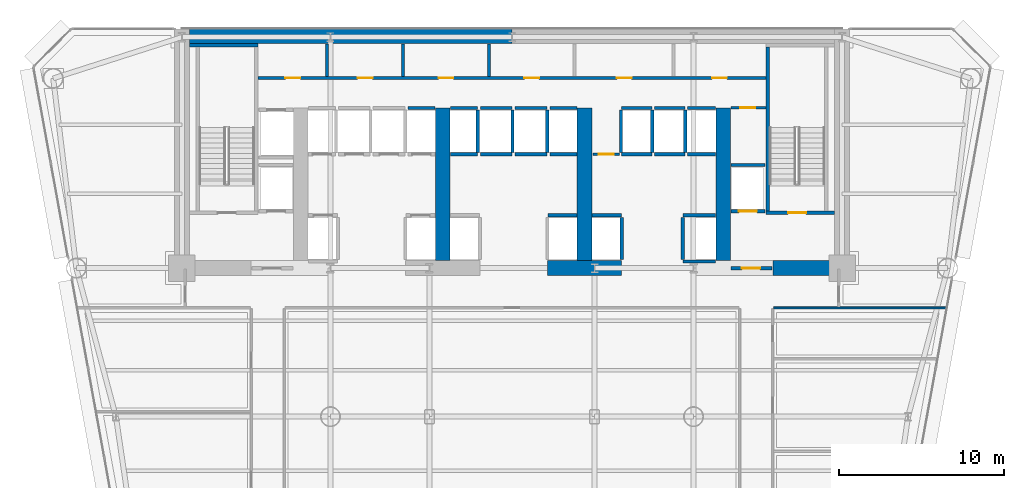
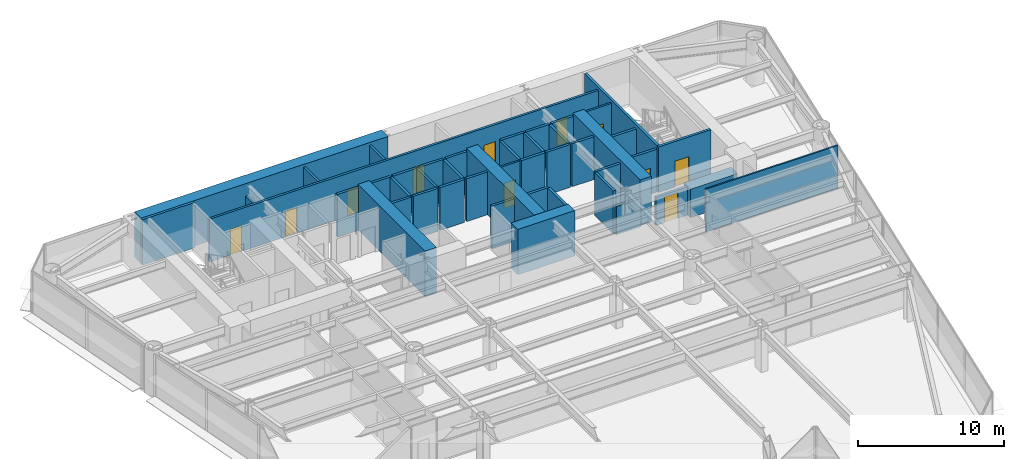
# One storey, part 9 of 14: 46 walls, 11 doors, 11 openings.
"""IFC4 building model written with IfcOpenShell, lengths in metres."""

from ifc_helpers import new_model, si_unit, direction, frame, frame_2d, origin, place, context, subcontext, project, spatial, rectangle, extrude, source, transform, mapped, material, layer, layer_set, type_object, element, fill, save


model = new_model("IFC4")

# Units and contexts
model_context = context("Model", 3, precision=1e-05, world=origin(), true_north=direction((0.0, 1.0)))
body_context = subcontext(model_context, "Body", "Model", "MODEL_VIEW")
ifc_project = project(units=[si_unit("LENGTHUNIT", "METRE"), si_unit("AREAUNIT", "SQUARE_METRE"), si_unit("VOLUMEUNIT", "CUBIC_METRE"), si_unit("PLANEANGLEUNIT", "RADIAN"), si_unit("MASSUNIT", "GRAM", prefix="KILO")], contexts=[model_context])

# Site, building, storey
site_placement = place(None, origin())
site = spatial("IfcSite", under=ifc_project, at=site_placement, CompositionType="ELEMENT")
building_placement = place(site_placement, origin())
building = spatial("IfcBuilding", under=site, at=building_placement, Name="Vaeldorn Concourse Tower", CompositionType="ELEMENT")
storey_placement = place(building_placement, frame((0.0, 0.0, 34.0)))
storey = spatial("IfcBuildingStorey", under=building, at=storey_placement, Name="L08", CompositionType="ELEMENT", Elevation=34.0)

# Walls
ifc_material_1 = material(Name="Concrete C60/75", Category="concrete")
ifc_layer_1 = layer(ifc_material_1, 0.89990234375)
ifc_layer_set_1 = layer_set([ifc_layer_1], Name="Concrete C60/75")
wall_type_1 = type_object("IfcWallType", Name="WL-CORE-900", PredefinedType="SHEAR", material=ifc_layer_set_1)
wall_1_placement = place(storey_placement, frame((14.4541015625, 50.550048828125, 0.0), z_axis=(0.0, 0.0, 1.0), x_axis=(1.0, 0.0, 0.0)))
element("IfcWall", 1, at=wall_1_placement, inside=storey, type_object=wall_type_1, Name="Rear Core Shear Wall L08 N1", PredefinedType="SHEAR", context=body_context, shape_type="SweptSolid", body=[
    extrude(rectangle(XDim=19.5439453125, YDim=0.89990234375, at=frame_2d((9.77197265625, 0.0))), origin(), (0.0, 0.0, 1.0), 3.800048828125),
])
wall_2_placement = place(storey_placement, frame((36.14990234375, 36.5, 0.0), z_axis=(0.0, 0.0, 1.0), x_axis=(1.0, 0.0, 0.0)))
element("IfcWall", 2, at=wall_2_placement, inside=storey, type_object=wall_type_1, Name="Rear Core Shear Wall L08 S3", PredefinedType="SHEAR", context=body_context, shape_type="SweptSolid", body=[
    extrude(rectangle(XDim=4.5, YDim=0.89990234375, at=frame_2d((2.25, 0.0))), origin(), (0.0, 0.0, 1.0), 3.800048828125),
])
wall_3_placement = place(storey_placement, frame((49.800048828125, 36.5, 0.0), z_axis=(0.0, 0.0, 1.0), x_axis=(1.0, 0.0, 0.0)))
element("IfcWall", 3, at=wall_3_placement, inside=storey, type_object=wall_type_1, Name="Rear Core Shear Wall L08 S4", PredefinedType="SHEAR", context=body_context, shape_type="SweptSolid", body=[
    extrude(rectangle(XDim=3.72998046875, YDim=0.89990234375, at=frame_2d((1.864990234375, 0.0))), origin(), (0.0, 0.0, 1.0), 2.3798828125),
])
for number, where, z_axis, x_axis, name in (
    (4, (29.800048828125, 36.969970703125, 0.0), (0.0, 0.0, 1.0), (0.0, 1.0, 0.0), "Rear Core Shear Wall L08 M2"),
    (5, (38.39990234375, 36.969970703125, 0.0), (0.0, 0.0, 1.0), (0.0, 1.0, 0.0), "Rear Core Shear Wall L08 M3"),
    (6, (46.800048828125, 36.969970703125, 0.0), (0.0, 0.0, 1.0), (0.0, 1.0, 0.0), "Rear Core Shear Wall L08 M4"),
):
    element("IfcWall", number, at=place(storey_placement, frame(where, z_axis=z_axis, x_axis=x_axis)), inside=storey, type_object=wall_type_1, Name=name, PredefinedType="SHEAR", context=body_context, shape_type="SweptSolid", body=[
        extrude(rectangle(XDim=9.22998046875, YDim=0.89990234375, at=frame_2d((4.614990234375, 0.0))), origin(), (0.0, 0.0, 1.0), 3.800048828125),
    ])
ifc_material_2 = material(Name="Gypsum Board Partition", Category="gypsum")
ifc_layer_2 = layer(ifc_material_2, 0.1201171875)
ifc_layer_set_2 = layer_set([ifc_layer_2], Name="Gypsum Board Partition")
wall_type_2 = type_object("IfcWallType", Name="WL-PART-120", PredefinedType="PARTITIONING", material=ifc_layer_set_2)
wall_4_placement = place(storey_placement, frame((49.860107421875, 34.10009765625, 0.0), z_axis=(0.0, 0.0, 1.0), x_axis=(1.0, 0.0, 0.0)))
element("IfcWall", 7, at=wall_4_placement, inside=storey, type_object=wall_type_2, Name="Interior Wall PW-L08-CEWE", PredefinedType="PARTITIONING", context=body_context, shape_type="SweptSolid", body=[
    extrude(rectangle(XDim=10.447021484375, YDim=0.1201171875, at=frame_2d((5.2236328125, 0.0))), origin(), (0.0, 0.0, 1.0), 3.580078125),
])

# Wall, opening, door
ifc_layer_3 = layer(ifc_material_2, 0.14990234375)
ifc_layer_set_3 = layer_set([ifc_layer_3], Name="Gypsum Board Partition")
wall_type_3 = type_object("IfcWallType", Name="WL-PART-150", PredefinedType="PARTITIONING", material=ifc_layer_set_3)
wall_5_placement = place(storey_placement, frame((47.280029296875, 46.219970703125, 0.0), z_axis=(0.0, 0.0, 1.0), x_axis=(1.0, 0.0, 0.0)))
wall_5 = element("IfcWall", 8, at=wall_5_placement, inside=storey, type_object=wall_type_3, Name="Interior Wall CW-L08-CRSE-N", PredefinedType="PARTITIONING", context=body_context, shape_type="SweptSolid", body=[
    extrude(rectangle(XDim=2.099853515625, YDim=0.14990234375, at=frame_2d((1.0498046875, 0.0))), origin(), (0.0, 0.0, 1.0), 3.580078125),
])
opening_1_placement = place(wall_5_placement, frame((0.550048828125, 0.0, 0.0)))
opening_1 = element("IfcOpeningElement", 9, at=opening_1_placement, cuts=wall_5, Name="Opening D-02", PredefinedType="OPENING", context=body_context, shape_type="SweptSolid", body=[
    extrude(rectangle(XDim=0.89990234375, YDim=2.10009765625, at=frame_2d((0.449951171875, 1.050048828125))), frame((0.0, 0.0849609375, 0.0), z_axis=(0.0, -1.0, 0.0), x_axis=(1.0, 0.0, 0.0)), (0.0, 0.0, 1.0), 0.169921875),
])
ifc_material_3 = material(Name="Fire-Rated Timber Leaf", Category="wood")
door_type_1 = type_object("IfcDoorType", Name="DR-FD30-900", OperationType="NOTDEFINED", PredefinedType="DOOR", material=ifc_material_3)
shared_shape_1 = source(origin(), body_context, "Body", "SweptSolid", [
    extrude(rectangle(XDim=0.89990234375, YDim=2.10009765625, at=frame_2d((0.449951171875, 1.050048828125))), frame((0.0, 0.02490234375, 0.0), z_axis=(0.0, -1.0, 0.0), x_axis=(1.0, 0.0, 0.0)), (0.0, 0.0, 1.0), 0.050048828125),
])
door_1_placement = place(opening_1_placement, origin())
door_1 = element("IfcDoor", 10, at=door_1_placement, inside=storey, type_object=door_type_1, Name="Interior Door DR-L08-CRSE", OperationType="SINGLE_SWING_RIGHT", OverallHeight=2.10009765625, OverallWidth=0.89990234375, PredefinedType="DOOR", context=body_context, shape_type="MappedRepresentation", body=[
    mapped(shared_shape_1, transform((0.0, 0.0, 0.0), scale=1.0)),
])
fill(opening_1, door_1)

wall_6_placement = place(storey_placement, frame((38.919921875, 43.39990234375, 0.0), z_axis=(0.0, 0.0, 1.0), x_axis=(1.0, 0.0, 0.0)))
wall_6 = element("IfcWall", 11, at=wall_6_placement, inside=storey, type_object=wall_type_3, Name="Interior Wall CW-L08-CCLINK", PredefinedType="PARTITIONING", context=body_context, shape_type="SweptSolid", body=[
    extrude(rectangle(XDim=1.60009765625, YDim=0.14990234375, at=frame_2d((0.800048828125, 0.0))), origin(), (0.0, 0.0, 1.0), 3.580078125),
])
opening_2_placement = place(wall_6_placement, frame((0.35009765625, 0.0, 0.0)))
opening_2 = element("IfcOpeningElement", 12, at=opening_2_placement, cuts=wall_6, Name="Opening D-02", PredefinedType="OPENING", context=body_context, shape_type="SweptSolid", body=[
    extrude(rectangle(XDim=0.89990234375, YDim=2.10009765625, at=frame_2d((0.449951171875, 1.050048828125))), frame((0.0, 0.0849609375, 0.0), z_axis=(0.0, -1.0, 0.0), x_axis=(1.0, 0.0, 0.0)), (0.0, 0.0, 1.0), 0.169921875),
])
door_2_placement = place(opening_2_placement, origin())
door_2 = element("IfcDoor", 13, at=door_2_placement, inside=storey, type_object=door_type_1, Name="Interior Door DR-L08-CCLINK", OperationType="SINGLE_SWING_LEFT", OverallHeight=2.10009765625, OverallWidth=0.89990234375, PredefinedType="DOOR", context=body_context, shape_type="MappedRepresentation", body=[
    mapped(shared_shape_1, transform((0.0, 0.0, 0.0), scale=1.0)),
])
fill(opening_2, door_2)

# Wall, openings, doors
ifc_layer_4 = layer(ifc_material_2, 0.179931640625)
ifc_layer_set_4 = layer_set([ifc_layer_4], Name="Gypsum Board Partition")
wall_type_4 = type_object("IfcWallType", Name="WL-PLUMB-180", PredefinedType="PLUMBINGWALL", material=ifc_layer_set_4)
wall_7_placement = place(storey_placement, frame((18.6201171875, 48.02001953125, 0.0), z_axis=(0.0, 0.0, 1.0), x_axis=(1.0, 0.0, 0.0)))
wall_7 = element("IfcWall", 14, at=wall_7_placement, inside=storey, type_object=wall_type_4, Name="Interior Wall CW-L08-NS3", PredefinedType="PLUMBINGWALL", context=body_context, shape_type="SweptSolid", body=[
    extrude(rectangle(XDim=30.759765625, YDim=0.179931640625, at=frame_2d((15.3798828125, 0.0))), origin(), (0.0, 0.0, 1.0), 3.580078125),
])
opening_3_placement = place(wall_7_placement, frame((1.655029296875, 0.0, 0.0)))
opening_3 = element("IfcOpeningElement", 15, at=opening_3_placement, cuts=wall_7, Name="Opening D-03", PredefinedType="OPENING", context=body_context, shape_type="SweptSolid", body=[
    extrude(rectangle(XDim=0.89990234375, YDim=2.14990234375, at=frame_2d((0.449951171875, 1.074951171875))), frame((0.0, 0.10009765625, 0.0), z_axis=(0.0, -1.0, 0.0), x_axis=(1.0, 0.0, 0.0)), (0.0, 0.0, 1.0), 0.199951171875),
])
opening_4_placement = place(wall_7_placement, frame((6.030029296875, 0.0, 0.0)))
opening_4 = element("IfcOpeningElement", 16, at=opening_4_placement, cuts=wall_7, Name="Opening D-03", PredefinedType="OPENING", context=body_context, shape_type="SweptSolid", body=[
    extrude(rectangle(XDim=0.89990234375, YDim=2.14990234375, at=frame_2d((0.449951171875, 1.074951171875))), frame((0.0, 0.10009765625, 0.0), z_axis=(0.0, -1.0, 0.0), x_axis=(1.0, 0.0, 0.0)), (0.0, 0.0, 1.0), 0.199951171875),
])
opening_5_placement = place(wall_7_placement, frame((10.929931640625, 0.0, 0.0)))
opening_5 = element("IfcOpeningElement", 17, at=opening_5_placement, cuts=wall_7, Name="Opening D-03", PredefinedType="OPENING", context=body_context, shape_type="SweptSolid", body=[
    extrude(rectangle(XDim=0.89990234375, YDim=2.14990234375, at=frame_2d((0.449951171875, 1.074951171875))), frame((0.0, 0.10009765625, 0.0), z_axis=(0.0, -1.0, 0.0), x_axis=(1.0, 0.0, 0.0)), (0.0, 0.0, 1.0), 0.199951171875),
])
opening_6_placement = place(wall_7_placement, frame((16.1298828125, 0.0, 0.0)))
opening_6 = element("IfcOpeningElement", 18, at=opening_6_placement, cuts=wall_7, Name="Opening D-03", PredefinedType="OPENING", context=body_context, shape_type="SweptSolid", body=[
    extrude(rectangle(XDim=0.89990234375, YDim=2.14990234375, at=frame_2d((0.449951171875, 1.074951171875))), frame((0.0, 0.10009765625, 0.0), z_axis=(0.0, -1.0, 0.0), x_axis=(1.0, 0.0, 0.0)), (0.0, 0.0, 1.0), 0.199951171875),
])
opening_7_placement = place(wall_7_placement, frame((21.72998046875, 0.0, 0.0)))
opening_7 = element("IfcOpeningElement", 19, at=opening_7_placement, cuts=wall_7, Name="Opening D-03", PredefinedType="OPENING", context=body_context, shape_type="SweptSolid", body=[
    extrude(rectangle(XDim=0.89990234375, YDim=2.14990234375, at=frame_2d((0.449951171875, 1.074951171875))), frame((0.0, 0.10009765625, 0.0), z_axis=(0.0, -1.0, 0.0), x_axis=(1.0, 0.0, 0.0)), (0.0, 0.0, 1.0), 0.199951171875),
])
opening_8_placement = place(wall_7_placement, frame((27.5048828125, 0.0, 0.0)))
opening_8 = element("IfcOpeningElement", 20, at=opening_8_placement, cuts=wall_7, Name="Opening D-03", PredefinedType="OPENING", context=body_context, shape_type="SweptSolid", body=[
    extrude(rectangle(XDim=0.89990234375, YDim=2.14990234375, at=frame_2d((0.449951171875, 1.074951171875))), frame((0.0, 0.10009765625, 0.0), z_axis=(0.0, -1.0, 0.0), x_axis=(1.0, 0.0, 0.0)), (0.0, 0.0, 1.0), 0.199951171875),
])
ifc_material_4 = material(Name="Acoustic Bronze-Framed Glass Door", Category="glass")
door_type_2 = type_object("IfcDoorType", Name="DR-INT-900", OperationType="NOTDEFINED", PredefinedType="DOOR", material=ifc_material_4)
shared_shape_2 = source(origin(), body_context, "Body", "SweptSolid", [
    extrude(rectangle(XDim=0.89990234375, YDim=2.14990234375, at=frame_2d((0.449951171875, 1.074951171875))), frame((0.0, 0.02490234375, 0.0), z_axis=(0.0, -1.0, 0.0), x_axis=(1.0, 0.0, 0.0)), (0.0, 0.0, 1.0), 0.050048828125),
])
door_3_placement = place(opening_3_placement, origin())
door_3 = element("IfcDoor", 21, at=door_3_placement, inside=storey, type_object=door_type_2, Name="Interior Door DR-L08-CS1", OperationType="SINGLE_SWING_LEFT", OverallHeight=2.14990234375, OverallWidth=0.89990234375, PredefinedType="DOOR", context=body_context, shape_type="MappedRepresentation", body=[
    mapped(shared_shape_2, transform((0.0, 0.0, 0.0), scale=1.0)),
])
fill(opening_3, door_3)
door_4_placement = place(opening_4_placement, origin())
door_4 = element("IfcDoor", 22, at=door_4_placement, inside=storey, type_object=door_type_2, Name="Interior Door DR-L08-CS2", OperationType="SINGLE_SWING_RIGHT", OverallHeight=2.14990234375, OverallWidth=0.89990234375, PredefinedType="DOOR", context=body_context, shape_type="MappedRepresentation", body=[
    mapped(shared_shape_2, transform((0.0, 0.0, 0.0), scale=1.0)),
])
fill(opening_4, door_4)
door_5_placement = place(opening_5_placement, origin())
door_5 = element("IfcDoor", 23, at=door_5_placement, inside=storey, type_object=door_type_2, Name="Interior Door DR-L08-CS3", OperationType="SINGLE_SWING_LEFT", OverallHeight=2.14990234375, OverallWidth=0.89990234375, PredefinedType="DOOR", context=body_context, shape_type="MappedRepresentation", body=[
    mapped(shared_shape_2, transform((0.0, 0.0, 0.0), scale=1.0)),
])
fill(opening_5, door_5)
door_6_placement = place(opening_6_placement, origin())
door_6 = element("IfcDoor", 24, at=door_6_placement, inside=storey, type_object=door_type_2, Name="Interior Door DR-L08-CS4", OperationType="SINGLE_SWING_RIGHT", OverallHeight=2.14990234375, OverallWidth=0.89990234375, PredefinedType="DOOR", context=body_context, shape_type="MappedRepresentation", body=[
    mapped(shared_shape_2, transform((0.0, 0.0, 0.0), scale=1.0)),
])
fill(opening_6, door_6)
door_7_placement = place(opening_7_placement, origin())
door_7 = element("IfcDoor", 25, at=door_7_placement, inside=storey, type_object=door_type_2, Name="Interior Door DR-L08-CS5", OperationType="SINGLE_SWING_LEFT", OverallHeight=2.14990234375, OverallWidth=0.89990234375, PredefinedType="DOOR", context=body_context, shape_type="MappedRepresentation", body=[
    mapped(shared_shape_2, transform((0.0, 0.0, 0.0), scale=1.0)),
])
fill(opening_7, door_7)
door_8_placement = place(opening_8_placement, origin())
door_8 = element("IfcDoor", 26, at=door_8_placement, inside=storey, type_object=door_type_2, Name="Interior Door DR-L08-CS6", OperationType="SINGLE_SWING_RIGHT", OverallHeight=2.14990234375, OverallWidth=0.89990234375, PredefinedType="DOOR", context=body_context, shape_type="MappedRepresentation", body=[
    mapped(shared_shape_2, transform((0.0, 0.0, 0.0), scale=1.0)),
])
fill(opening_8, door_8)

# Walls
wall_8_placement = place(storey_placement, frame((22.800048828125, 48.10009765625, 0.0), z_axis=(0.0, 0.0, 1.0), x_axis=(0.0, 1.0, 0.0)))
element("IfcWall", 27, at=wall_8_placement, inside=storey, type_object=wall_type_4, Name="Interior Wall CW-L08-NDIV1", PredefinedType="PLUMBINGWALL", context=body_context, shape_type="SweptSolid", body=[
    extrude(rectangle(XDim=1.97998046875, YDim=0.179931640625, at=frame_2d((0.989990234375, 0.0))), origin(), (0.0, 0.0, 1.0), 2.77001953125),
])
for number, where, z_axis, x_axis, name in (
    (28, (27.39990234375, 48.10009765625, 0.0), (0.0, 0.0, 1.0), (0.0, 1.0, 0.0), "Interior Wall CW-L08-NDIV2"),
    (29, (32.60009765625, 48.10009765625, 0.0), (0.0, 0.0, 1.0), (0.0, 1.0, 0.0), "Interior Wall CW-L08-NDIV3"),
):
    element("IfcWall", number, at=place(storey_placement, frame(where, z_axis=z_axis, x_axis=x_axis)), inside=storey, type_object=wall_type_4, Name=name, PredefinedType="PLUMBINGWALL", context=body_context, shape_type="SweptSolid", body=[
        extrude(rectangle(XDim=1.97998046875, YDim=0.179931640625, at=frame_2d((0.989990234375, 0.0))), origin(), (0.0, 0.0, 1.0), 3.580078125),
    ])
ifc_material_5 = material(Name="Concrete C50/60", Category="concrete")
ifc_layer_5 = layer(ifc_material_5, 0.199951171875)
ifc_layer_set_5 = layer_set([ifc_layer_5], Name="Concrete C50/60")
wall_type_5 = type_object("IfcWallType", Name="WL-SHAFT-200", PredefinedType="SOLIDWALL", material=ifc_layer_set_5)
wall_9_placement = place(storey_placement, frame((14.449951171875, 50.0, 0.0), z_axis=(0.0, 0.0, 1.0), x_axis=(1.0, 0.0, 0.0)))
element("IfcWall", 30, at=wall_9_placement, inside=storey, type_object=wall_type_5, Name="Stair Shaft Wall CW-L08-ST-1-N", PredefinedType="SOLIDWALL", context=body_context, shape_type="SweptSolid", body=[
    extrude(rectangle(XDim=4.150146484375, YDim=0.199951171875, at=frame_2d((2.0751953125, 0.0))), origin(), (0.0, 0.0, 1.0), 3.800048828125),
])

# Wall, opening, door
wall_10_placement = place(storey_placement, frame((49.39990234375, 39.85009765625, 0.0), z_axis=(0.0, 0.0, 1.0), x_axis=(1.0, 0.0, 0.0)))
wall_10 = element("IfcWall", 31, at=wall_10_placement, inside=storey, type_object=wall_type_5, Name="Stair Shaft Wall CW-L08-ST-2-S", PredefinedType="SOLIDWALL", context=body_context, shape_type="SweptSolid", body=[
    extrude(rectangle(XDim=4.150146484375, YDim=0.199951171875, at=frame_2d((2.0751953125, 0.0))), origin(), (0.0, 0.0, 1.0), 3.800048828125),
])
opening_9_placement = place(wall_10_placement, frame((1.324951171875, 0.0, 0.0)))
opening_9 = element("IfcOpeningElement", 32, at=opening_9_placement, cuts=wall_10, Name="Opening D-01", PredefinedType="OPENING", context=body_context, shape_type="SweptSolid", body=[
    extrude(rectangle(XDim=1.10009765625, YDim=2.14990234375, at=frame_2d((0.550048828125, 1.074951171875))), frame((0.0, 0.10986328125, 0.0), z_axis=(0.0, -1.0, 0.0), x_axis=(1.0, 0.0, 0.0)), (0.0, 0.0, 1.0), 0.219970703125),
])
ifc_material_6 = material(Name="Fire-Rated Timber and Steel Leaf", Category="steel")
door_type_3 = type_object("IfcDoorType", Name="DR-FD60-1100", OperationType="NOTDEFINED", PredefinedType="DOOR", material=ifc_material_6)
shared_shape_3 = source(origin(), body_context, "Body", "SweptSolid", [
    extrude(rectangle(XDim=1.10009765625, YDim=2.14990234375, at=frame_2d((0.550048828125, 1.074951171875))), frame((0.0, 0.02490234375, 0.0), z_axis=(0.0, -1.0, 0.0), x_axis=(1.0, 0.0, 0.0)), (0.0, 0.0, 1.0), 0.050048828125),
])
door_9_placement = place(opening_9_placement, origin())
door_9 = element("IfcDoor", 33, at=door_9_placement, inside=storey, type_object=door_type_3, Name="Interior Door DR-L08-ST-2", OperationType="SINGLE_SWING_RIGHT", OverallHeight=2.14990234375, OverallWidth=1.10009765625, PredefinedType="DOOR", context=body_context, shape_type="MappedRepresentation", body=[
    mapped(shared_shape_3, transform((0.0, 0.0, 0.0), scale=1.0)),
])
fill(opening_9, door_9)

# Wall
wall_11_placement = place(storey_placement, frame((49.5, 39.9599609375, 0.0), z_axis=(0.0, 0.0, 1.0), x_axis=(0.0, 1.0, 0.0)))
element("IfcWall", 34, at=wall_11_placement, inside=storey, type_object=wall_type_5, Name="Stair Shaft Wall CW-L08-ST-2-W", PredefinedType="SOLIDWALL", context=body_context, shape_type="SweptSolid", body=[
    extrude(rectangle(XDim=9.929931640625, YDim=0.199951171875, at=frame_2d((4.96484375, 0.0))), origin(), (0.0, 0.0, 1.0), 3.800048828125),
])

# Wall, opening, door
wall_12_placement = place(storey_placement, frame((47.280029296875, 36.5, 0.0), z_axis=(0.0, 0.0, 1.0), x_axis=(1.0, 0.0, 0.0)))
wall_12 = element("IfcWall", 35, at=wall_12_placement, inside=storey, type_object=wall_type_5, Name="Interior Wall CW-L08-FF2S", PredefinedType="SOLIDWALL", context=body_context, shape_type="SweptSolid", body=[
    extrude(rectangle(XDim=2.469970703125, YDim=0.199951171875, at=frame_2d((1.23486328125, 0.0))), origin(), (0.0, 0.0, 1.0), 2.3701171875),
])
opening_10_placement = place(wall_12_placement, frame((0.64990234375, 0.0, 0.0)))
opening_10 = element("IfcOpeningElement", 36, at=opening_10_placement, cuts=wall_12, Name="Opening D-01", PredefinedType="OPENING", context=body_context, shape_type="SweptSolid", body=[
    extrude(rectangle(XDim=1.10009765625, YDim=2.14990234375, at=frame_2d((0.550048828125, 1.074951171875))), frame((0.0, 0.10986328125, 0.0), z_axis=(0.0, -1.0, 0.0), x_axis=(1.0, 0.0, 0.0)), (0.0, 0.0, 1.0), 0.219970703125),
])
door_10_placement = place(opening_10_placement, origin())
door_10 = element("IfcDoor", 37, at=door_10_placement, inside=storey, type_object=door_type_3, Name="Interior Door DR-L08-FF2W", OperationType="SINGLE_SWING_LEFT", OverallHeight=2.14990234375, OverallWidth=1.10009765625, PredefinedType="DOOR", context=body_context, shape_type="MappedRepresentation", body=[
    mapped(shared_shape_3, transform((0.0, 0.0, 0.0), scale=1.0)),
])
fill(opening_10, door_10)

# Walls
wall_13_placement = place(storey_placement, frame((27.68994140625, 46.199951171875, 0.0), z_axis=(0.0, 0.0, 1.0), x_axis=(1.0, 0.0, 0.0)))
element("IfcWall", 38, at=wall_13_placement, inside=storey, type_object=wall_type_5, Name="Interior Wall CW-L08-LFB-LF-06", PredefinedType="SOLIDWALL", context=body_context, shape_type="SweptSolid", body=[
    extrude(rectangle(XDim=1.650146484375, YDim=0.199951171875, at=frame_2d((0.8251953125, 0.0))), origin(), (0.0, 0.0, 1.0), 3.580078125),
])
wall_14_placement = place(storey_placement, frame((36.169921875, 39.699951171875, 0.0), z_axis=(0.0, 0.0, 1.0), x_axis=(1.0, 0.0, 0.0)))
element("IfcWall", 39, at=wall_14_placement, inside=storey, type_object=wall_type_5, Name="Interior Wall CW-L08-LF-LF-08", PredefinedType="SOLIDWALL", context=body_context, shape_type="SweptSolid", body=[
    extrude(rectangle(XDim=1.77001953125, YDim=0.199951171875, at=frame_2d((0.885009765625, 0.0))), origin(), (0.0, 0.0, 1.0), 3.580078125),
])
for number, where, z_axis, x_axis, name in (
    (40, (30.260009765625, 43.39990234375, 0.0), (0.0, 0.0, 1.0), (1.0, 0.0, 0.0), "Interior Wall CW-L08-LF-LF-09"),
    (41, (30.260009765625, 46.199951171875, 0.0), (0.0, 0.0, 1.0), (1.0, 0.0, 0.0), "Interior Wall CW-L08-LFB-LF-09"),
):
    element("IfcWall", number, at=place(storey_placement, frame(where, z_axis=z_axis, x_axis=x_axis)), inside=storey, type_object=wall_type_5, Name=name, PredefinedType="SOLIDWALL", context=body_context, shape_type="SweptSolid", body=[
        extrude(rectangle(XDim=1.64990234375, YDim=0.199951171875, at=frame_2d((0.824951171875, 0.0))), origin(), (0.0, 0.0, 1.0), 3.580078125),
    ])
wall_15_placement = place(storey_placement, frame((31.929931640625, 43.52001953125, 0.0), z_axis=(0.0, 0.0, 1.0), x_axis=(0.0, 1.0, 0.0)))
element("IfcWall", 42, at=wall_15_placement, inside=storey, type_object=wall_type_5, Name="Interior Wall CW-L08-LFE-LF-09", PredefinedType="SOLIDWALL", context=body_context, shape_type="SweptSolid", body=[
    extrude(rectangle(XDim=2.56005859375, YDim=0.199951171875, at=frame_2d((1.280029296875, 0.0))), origin(), (0.0, 0.0, 1.0), 3.580078125),
])
for number, where, z_axis, x_axis, name in (
    (43, (32.090087890625, 43.39990234375, 0.0), (0.0, 0.0, 1.0), (1.0, 0.0, 0.0), "Interior Wall CW-L08-LF-LF-10"),
    (44, (32.090087890625, 46.199951171875, 0.0), (0.0, 0.0, 1.0), (1.0, 0.0, 0.0), "Interior Wall CW-L08-LFB-LF-10"),
):
    element("IfcWall", number, at=place(storey_placement, frame(where, z_axis=z_axis, x_axis=x_axis)), inside=storey, type_object=wall_type_5, Name=name, PredefinedType="SOLIDWALL", context=body_context, shape_type="SweptSolid", body=[
        extrude(rectangle(XDim=1.919921875, YDim=0.199951171875, at=frame_2d((0.9599609375, 0.0))), origin(), (0.0, 0.0, 1.0), 3.580078125),
    ])
wall_16_placement = place(storey_placement, frame((34.030029296875, 43.52001953125, 0.0), z_axis=(0.0, 0.0, 1.0), x_axis=(0.0, 1.0, 0.0)))
element("IfcWall", 45, at=wall_16_placement, inside=storey, type_object=wall_type_5, Name="Interior Wall CW-L08-LFE-LF-10", PredefinedType="SOLIDWALL", context=body_context, shape_type="SweptSolid", body=[
    extrude(rectangle(XDim=2.56005859375, YDim=0.199951171875, at=frame_2d((1.280029296875, 0.0))), origin(), (0.0, 0.0, 1.0), 3.580078125),
])
for number, where, z_axis, x_axis, name in (
    (46, (34.18994140625, 43.39990234375, 0.0), (0.0, 0.0, 1.0), (1.0, 0.0, 0.0), "Interior Wall CW-L08-LF-LF-11"),
    (47, (34.18994140625, 46.199951171875, 0.0), (0.0, 0.0, 1.0), (1.0, 0.0, 0.0), "Interior Wall CW-L08-LFB-LF-11"),
):
    element("IfcWall", number, at=place(storey_placement, frame(where, z_axis=z_axis, x_axis=x_axis)), inside=storey, type_object=wall_type_5, Name=name, PredefinedType="SOLIDWALL", context=body_context, shape_type="SweptSolid", body=[
        extrude(rectangle(XDim=1.920166015625, YDim=0.199951171875, at=frame_2d((0.9599609375, 0.0))), origin(), (0.0, 0.0, 1.0), 3.580078125),
    ])
wall_17_placement = place(storey_placement, frame((36.1298828125, 43.52001953125, 0.0), z_axis=(0.0, 0.0, 1.0), x_axis=(0.0, 1.0, 0.0)))
element("IfcWall", 48, at=wall_17_placement, inside=storey, type_object=wall_type_5, Name="Interior Wall CW-L08-LFE-LF-11", PredefinedType="SOLIDWALL", context=body_context, shape_type="SweptSolid", body=[
    extrude(rectangle(XDim=2.56005859375, YDim=0.199951171875, at=frame_2d((1.280029296875, 0.0))), origin(), (0.0, 0.0, 1.0), 3.580078125),
])
for number, where, z_axis, x_axis, name in (
    (49, (36.2900390625, 43.39990234375, 0.0), (0.0, 0.0, 1.0), (1.0, 0.0, 0.0), "Interior Wall CW-L08-LF-LF-12"),
    (50, (36.2900390625, 46.199951171875, 0.0), (0.0, 0.0, 1.0), (1.0, 0.0, 0.0), "Interior Wall CW-L08-LFB-LF-12"),
):
    element("IfcWall", number, at=place(storey_placement, frame(where, z_axis=z_axis, x_axis=x_axis)), inside=storey, type_object=wall_type_5, Name=name, PredefinedType="SOLIDWALL", context=body_context, shape_type="SweptSolid", body=[
        extrude(rectangle(XDim=1.64990234375, YDim=0.199951171875, at=frame_2d((0.824951171875, 0.0))), origin(), (0.0, 0.0, 1.0), 3.580078125),
    ])
wall_18_placement = place(storey_placement, frame((38.860107421875, 39.699951171875, 0.0), z_axis=(0.0, 0.0, 1.0), x_axis=(1.0, 0.0, 0.0)))
element("IfcWall", 51, at=wall_18_placement, inside=storey, type_object=wall_type_5, Name="Interior Wall CW-L08-LF-LF-13", PredefinedType="SOLIDWALL", context=body_context, shape_type="SweptSolid", body=[
    extrude(rectangle(XDim=1.769775390625, YDim=0.199951171875, at=frame_2d((0.884765625, 0.0))), origin(), (0.0, 0.0, 1.0), 3.580078125),
])
wall_19_placement = place(storey_placement, frame((40.64990234375, 37.02001953125, 0.0), z_axis=(0.0, 0.0, 1.0), x_axis=(0.0, 1.0, 0.0)))
element("IfcWall", 52, at=wall_19_placement, inside=storey, type_object=wall_type_5, Name="Interior Wall CW-L08-LFE-LF-13", PredefinedType="SOLIDWALL", context=body_context, shape_type="SweptSolid", body=[
    extrude(rectangle(XDim=2.56005859375, YDim=0.199951171875, at=frame_2d((1.280029296875, 0.0))), origin(), (0.0, 0.0, 1.0), 3.580078125),
])
wall_20_placement = place(storey_placement, frame((44.3701171875, 39.699951171875, 0.0), z_axis=(0.0, 0.0, 1.0), x_axis=(1.0, 0.0, 0.0)))
element("IfcWall", 53, at=wall_20_placement, inside=storey, type_object=wall_type_5, Name="Interior Wall CW-L08-LF-LF-14", PredefinedType="SOLIDWALL", context=body_context, shape_type="SweptSolid", body=[
    extrude(rectangle(XDim=1.9599609375, YDim=0.199951171875, at=frame_2d((0.97998046875, 0.0))), origin(), (0.0, 0.0, 1.0), 3.580078125),
])
wall_21_placement = place(storey_placement, frame((44.3701171875, 36.89990234375, 0.0), z_axis=(0.0, 0.0, 1.0), x_axis=(1.0, 0.0, 0.0)))
element("IfcWall", 54, at=wall_21_placement, inside=storey, type_object=wall_type_5, Name="Interior Wall CW-L08-LFB-LF-14", PredefinedType="SOLIDWALL", context=body_context, shape_type="SweptSolid", body=[
    extrude(rectangle(XDim=1.9599609375, YDim=0.199951171875, at=frame_2d((0.97998046875, 0.0))), origin(), (0.0, 0.0, 1.0), 2.3701171875),
])
wall_22_placement = place(storey_placement, frame((44.35009765625, 37.02001953125, 0.0), z_axis=(0.0, 0.0, 1.0), x_axis=(0.0, 1.0, 0.0)))
element("IfcWall", 55, at=wall_22_placement, inside=storey, type_object=wall_type_5, Name="Interior Wall CW-L08-LFW-LF-14", PredefinedType="SOLIDWALL", context=body_context, shape_type="SweptSolid", body=[
    extrude(rectangle(XDim=2.56005859375, YDim=0.199951171875, at=frame_2d((1.280029296875, 0.0))), origin(), (0.0, 0.0, 1.0), 3.580078125),
])
for number, where, z_axis, x_axis, name in (
    (56, (40.6201171875, 43.39990234375, 0.0), (0.0, 0.0, 1.0), (1.0, 0.0, 0.0), "Interior Wall CW-L08-LF-LF-15"),
    (57, (40.6201171875, 46.199951171875, 0.0), (0.0, 0.0, 1.0), (1.0, 0.0, 0.0), "Interior Wall CW-L08-LFB-LF-15"),
):
    element("IfcWall", number, at=place(storey_placement, frame(where, z_axis=z_axis, x_axis=x_axis)), inside=storey, type_object=wall_type_5, Name=name, PredefinedType="SOLIDWALL", context=body_context, shape_type="SweptSolid", body=[
        extrude(rectangle(XDim=1.85986328125, YDim=0.199951171875, at=frame_2d((0.929931640625, 0.0))), origin(), (0.0, 0.0, 1.0), 3.580078125),
    ])
for number, where, z_axis, x_axis, name in (
    (58, (40.60009765625, 43.52001953125, 0.0), (0.0, 0.0, 1.0), (0.0, 1.0, 0.0), "Interior Wall CW-L08-LFW-LF-15"),
    (59, (42.5, 43.52001953125, 0.0), (0.0, 0.0, 1.0), (0.0, 1.0, 0.0), "Interior Wall CW-L08-LFE-LF-15"),
):
    element("IfcWall", number, at=place(storey_placement, frame(where, z_axis=z_axis, x_axis=x_axis)), inside=storey, type_object=wall_type_5, Name=name, PredefinedType="SOLIDWALL", context=body_context, shape_type="SweptSolid", body=[
        extrude(rectangle(XDim=2.56005859375, YDim=0.199951171875, at=frame_2d((1.280029296875, 0.0))), origin(), (0.0, 0.0, 1.0), 3.580078125),
    ])
for number, where, z_axis, x_axis, name in (
    (60, (42.6201171875, 43.39990234375, 0.0), (0.0, 0.0, 1.0), (1.0, 0.0, 0.0), "Interior Wall CW-L08-LF-LF-16"),
    (61, (42.6201171875, 46.199951171875, 0.0), (0.0, 0.0, 1.0), (1.0, 0.0, 0.0), "Interior Wall CW-L08-LFB-LF-16"),
):
    element("IfcWall", number, at=place(storey_placement, frame(where, z_axis=z_axis, x_axis=x_axis)), inside=storey, type_object=wall_type_5, Name=name, PredefinedType="SOLIDWALL", context=body_context, shape_type="SweptSolid", body=[
        extrude(rectangle(XDim=1.85986328125, YDim=0.199951171875, at=frame_2d((0.929931640625, 0.0))), origin(), (0.0, 0.0, 1.0), 3.580078125),
    ])
wall_23_placement = place(storey_placement, frame((44.5, 43.52001953125, 0.0), z_axis=(0.0, 0.0, 1.0), x_axis=(0.0, 1.0, 0.0)))
element("IfcWall", 62, at=wall_23_placement, inside=storey, type_object=wall_type_5, Name="Interior Wall CW-L08-LFE-LF-16", PredefinedType="SOLIDWALL", context=body_context, shape_type="SweptSolid", body=[
    extrude(rectangle(XDim=2.56005859375, YDim=0.199951171875, at=frame_2d((1.280029296875, 0.0))), origin(), (0.0, 0.0, 1.0), 3.580078125),
])
for number, where, z_axis, x_axis, name in (
    (63, (44.6201171875, 43.39990234375, 0.0), (0.0, 0.0, 1.0), (1.0, 0.0, 0.0), "Interior Wall CW-L08-LF-LF-17"),
    (64, (44.6201171875, 46.199951171875, 0.0), (0.0, 0.0, 1.0), (1.0, 0.0, 0.0), "Interior Wall CW-L08-LFB-LF-17"),
):
    element("IfcWall", number, at=place(storey_placement, frame(where, z_axis=z_axis, x_axis=x_axis)), inside=storey, type_object=wall_type_5, Name=name, PredefinedType="SOLIDWALL", context=body_context, shape_type="SweptSolid", body=[
        extrude(rectangle(XDim=1.719970703125, YDim=0.199951171875, at=frame_2d((0.85986328125, 0.0))), origin(), (0.0, 0.0, 1.0), 3.580078125),
    ])

# Wall, opening, door
wall_24_placement = place(storey_placement, frame((47.260009765625, 39.949951171875, 0.0), z_axis=(0.0, 0.0, 1.0), x_axis=(1.0, 0.0, 0.0)))
wall_24 = element("IfcWall", 65, at=wall_24_placement, inside=storey, type_object=wall_type_5, Name="Interior Wall CW-L08-LF-LF-FF2", PredefinedType="SOLIDWALL", context=body_context, shape_type="SweptSolid", body=[
    extrude(rectangle(XDim=2.070068359375, YDim=0.199951171875, at=frame_2d((1.03515625, 0.0))), origin(), (0.0, 0.0, 1.0), 3.580078125),
])
opening_11_placement = place(wall_24_placement, frame((0.485107421875, 0.0, 0.0)))
opening_11 = element("IfcOpeningElement", 66, at=opening_11_placement, cuts=wall_24, Name="Opening LD-1", PredefinedType="OPENING", context=body_context, shape_type="SweptSolid", body=[
    extrude(rectangle(XDim=1.10009765625, YDim=2.14990234375, at=frame_2d((0.550048828125, 1.074951171875))), frame((0.0, 0.10986328125, 0.0), z_axis=(0.0, -1.0, 0.0), x_axis=(1.0, 0.0, 0.0)), (0.0, 0.0, 1.0), 0.219970703125),
])
ifc_material_7 = material(Name="Anodised Bronze Aluminium", Category="aluminium")
door_type_4 = type_object("IfcDoorType", Name="DR-LIFT-SLIDE-1100", OperationType="DOUBLE_DOOR_SLIDING", PredefinedType="DOOR", material=ifc_material_7)
door_11_placement = place(opening_11_placement, origin())
door_11 = element("IfcDoor", 67, at=door_11_placement, inside=storey, type_object=door_type_4, Name="Lift Landing Door LD-L08-LF-FF2", OperationType="DOUBLE_DOOR_SLIDING", OverallHeight=2.14990234375, OverallWidth=1.10009765625, PredefinedType="DOOR", context=body_context, shape_type="MappedRepresentation", body=[
    mapped(shared_shape_3, transform((0.0, 0.0, 0.0), scale=1.0)),
])
fill(opening_11, door_11)

# Wall
wall_25_placement = place(storey_placement, frame((47.260009765625, 42.75, 0.0), z_axis=(0.0, 0.0, 1.0), x_axis=(1.0, 0.0, 0.0)))
element("IfcWall", 68, at=wall_25_placement, inside=storey, type_object=wall_type_5, Name="Interior Wall CW-L08-LFB-LF-FF2", PredefinedType="SOLIDWALL", context=body_context, shape_type="SweptSolid", body=[
    extrude(rectangle(XDim=2.070068359375, YDim=0.199951171875, at=frame_2d((1.03515625, 0.0))), origin(), (0.0, 0.0, 1.0), 3.580078125),
])

save(model, "model.ifc")
